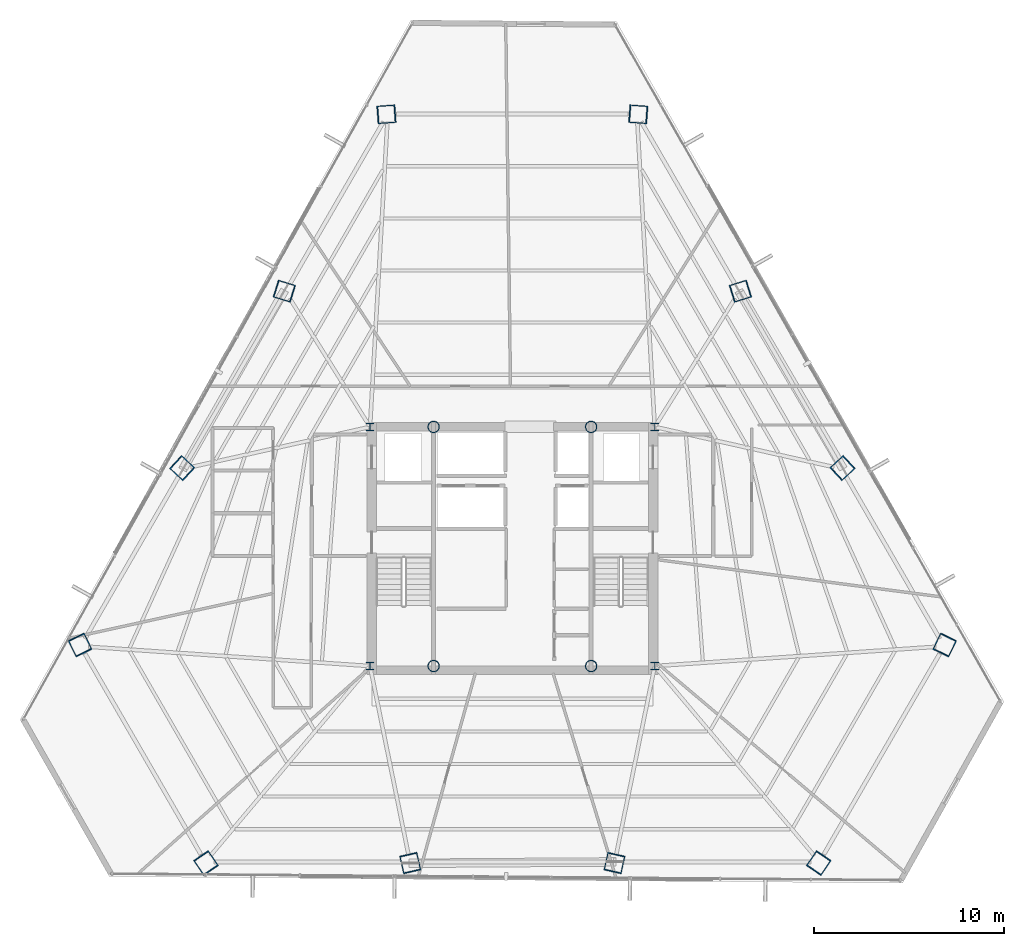
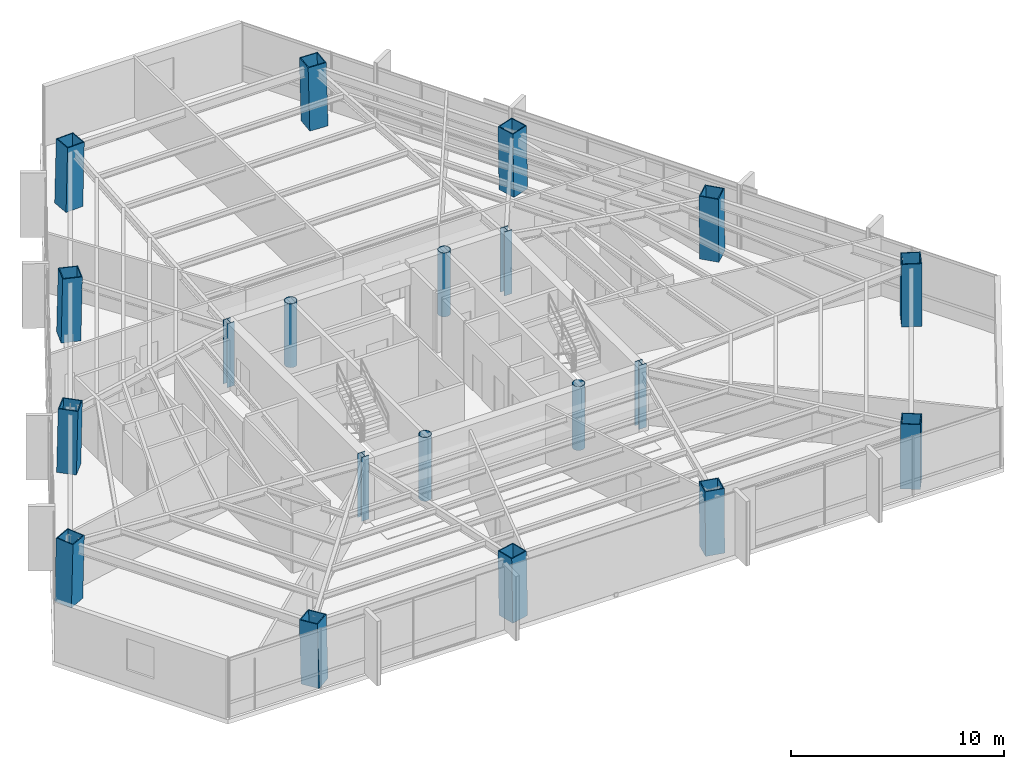
# One storey, part 1 of 39: 20 columns.
"""IFC4 building model written with IfcOpenShell, lengths in metres."""

from ifc_helpers import new_model, si_unit, direction, frame, origin, origin_2d, place, context, subcontext, project, spatial, hollow_rectangle, hollow_circle, i_section, extrude, source, transform, mapped, material, material_profile, profile_set, type_object, type_shapes, element, save


model = new_model("IFC4")

# Units and contexts
model_context = context("Model", 3, precision=1e-05, world=origin(), true_north=direction((0.0, 1.0)))
body_context = subcontext(model_context, "Body", "Model", "MODEL_VIEW")
ifc_project = project(units=[si_unit("LENGTHUNIT", "METRE"), si_unit("AREAUNIT", "SQUARE_METRE"), si_unit("VOLUMEUNIT", "CUBIC_METRE"), si_unit("PLANEANGLEUNIT", "RADIAN"), si_unit("MASSUNIT", "GRAM", prefix="KILO")], contexts=[model_context])

# Site, building, storey
site_placement = place(None, origin())
site = spatial("IfcSite", under=ifc_project, at=site_placement, CompositionType="ELEMENT")
building_placement = place(site_placement, origin())
building = spatial("IfcBuilding", under=site, at=building_placement, Name="Caelisora Broadcast Tower", CompositionType="ELEMENT")
storey_placement = place(building_placement, frame((0.0, 0.0, 139.10009765625)))
storey = spatial("IfcBuildingStorey", under=building, at=storey_placement, Name="L36", CompositionType="ELEMENT", Elevation=139.10009765625)

# Columns
ifc_material_1 = material(Name="Steel Grade 350 (AS/NZS 3679.2)", Category="steel")
ifc_material_profile_1 = material_profile(ifc_material_1, i_section(OverallWidth=0.39990234375, OverallDepth=0.39990234375, WebThickness=0.02001953125, FlangeThickness=0.031982421875, at=origin_2d()), Name="Steel Grade 350 (AS/NZS 3679.2)")
ifc_profile_set_1 = profile_set([ifc_material_profile_1], Name="Steel Grade 350 (AS/NZS 3679.2)")
column_type_1 = type_object("IfcColumnType", Name="CC02", PredefinedType="COLUMN", material=ifc_profile_set_1)
shared_shape_1 = source(origin(), body_context, "Body", "SweptSolid", [
    extrude(i_section(OverallWidth=0.39990234375, OverallDepth=0.39990234375, WebThickness=0.02001953125, FlangeThickness=0.031982421875, at=origin_2d()), origin(), (0.0, 0.0, 1.0), 3.64990234375),
])
type_shapes(column_type_1, [shared_shape_1])
for number, where, z_axis, x_axis, name in (
    (1, (30.5, 17.39990234375, 0.0), (0.0, 0.0, 1.0), (1.0, 0.0, 0.0), "L36 column CC02"),
    (2, (45.5, 17.39990234375, 0.0), (0.0, 0.0, 1.0), (1.0, 0.0, 0.0), "L36 column CC02"),
    (3, (45.5, 30.0, 0.0), (0.0, 0.0, 1.0), (1.0, 0.0, 0.0), "L36 column CC02"),
    (4, (30.5, 30.0, 0.0), (0.0, 0.0, 1.0), (1.0, 0.0, 0.0), "L36 column CC02"),
):
    element("IfcColumn", number, at=place(storey_placement, frame(where, z_axis=z_axis, x_axis=x_axis)), inside=storey, type_object=column_type_1, Name=name, PredefinedType="COLUMN", context=body_context, shape_type="MappedRepresentation", body=[
        mapped(shared_shape_1, transform((0.0, 0.0, 0.0), scale=1.0)),
    ])
ifc_material_2 = material(Name="Steel Grade 350 L15 (AS/NZS 3678)", Category="steel")
ifc_material_profile_2 = material_profile(ifc_material_2, hollow_circle(Radius=0.304931640625, WallThickness=0.02490234375, at=origin_2d()), Name="Steel Grade 350 L15 (AS/NZS 3678)")
ifc_profile_set_2 = profile_set([ifc_material_profile_2], Name="Steel Grade 350 L15 (AS/NZS 3678)")
column_type_2 = type_object("IfcColumnType", Name="CC06", PredefinedType="COLUMN", material=ifc_profile_set_2)
shared_shape_2 = source(origin(), body_context, "Body", "SweptSolid", [
    extrude(hollow_circle(Radius=0.304931640625, WallThickness=0.02490234375, at=origin_2d()), origin(), (0.0, 0.0, 1.0), 3.64990234375),
])
type_shapes(column_type_2, [shared_shape_2])
for number, where, z_axis, x_axis, name in (
    (5, (33.85009765625, 17.39990234375, 0.0), (0.0, 0.0, 1.0), (1.0, 0.0, 0.0), "L36 column CC06"),
    (6, (42.14990234375, 17.39990234375, 0.0), (0.0, 0.0, 1.0), (1.0, 0.0, 0.0), "L36 column CC06"),
    (7, (33.85009765625, 30.0, 0.0), (0.0, 0.0, 1.0), (1.0, 0.0, 0.0), "L36 column CC06"),
    (8, (42.14990234375, 30.0, 0.0), (0.0, 0.0, 1.0), (1.0, 0.0, 0.0), "L36 column CC06"),
):
    element("IfcColumn", number, at=place(storey_placement, frame(where, z_axis=z_axis, x_axis=x_axis)), inside=storey, type_object=column_type_2, Name=name, PredefinedType="COLUMN", context=body_context, shape_type="MappedRepresentation", body=[
        mapped(shared_shape_2, transform((0.0, 0.0, 0.0), scale=1.0)),
    ])
ifc_material_profile_3 = material_profile(ifc_material_2, hollow_rectangle(XDim=0.949951171875, YDim=0.949951171875, WallThickness=0.050048828125, at=origin_2d()), Name="Steel Grade 350 L15 (AS/NZS 3678)")
ifc_profile_set_3 = profile_set([ifc_material_profile_3], Name="Steel Grade 350 L15 (AS/NZS 3678)")
column_type_3 = type_object("IfcColumnType", Name="MC04", PredefinedType="COLUMN", material=ifc_profile_set_3)
shared_shape_3 = source(origin(), body_context, "Body", "SweptSolid", [
    extrude(hollow_rectangle(XDim=0.949951171875, YDim=0.949951171875, WallThickness=0.050048828125, at=origin_2d()), origin(), (0.0, 0.0, 1.0), 3.65087890625),
])
for number, where, z_axis, x_axis, name in (
    (9, (44.64794921875, 46.46826171875, 0.0), (-0.023872756997, 0.001738632162, 0.999713493273), (-0.07263675076, -0.997358462359, 0.0), "L36 column MC04"),
    (10, (31.35205078125, 46.46826171875, 0.0), (0.023872756997, 0.001738632162, 0.999713493273), (-0.07263675076, 0.997358462359, 0.0), "L36 column MC04"),
    (11, (15.218017578125, 18.523193359375, 0.0), (0.010431795422, -0.021532295679, 0.999713727968), (0.899947055326, 0.435999194506, 0.0), "L36 column MC04"),
    (12, (21.865966796875, 7.008544921875, 0.0), (-0.013440967269, 0.019793663242, 0.999713734673), (-0.827290216258, -0.561774775229, 0.0), "L36 column MC04"),
    (13, (54.134033203125, 7.008544921875, 0.0), (0.013440967269, 0.019793663242, 0.999713734673), (-0.827290216258, 0.561774775229, 0.0), "L36 column MC04"),
    (14, (60.781982421875, 18.523193359375, 0.0), (-0.010431795422, -0.021532295679, 0.999713727968), (0.899947055326, -0.435999194506, 0.0), "L36 column MC04"),
):
    element("IfcColumn", number, at=place(storey_placement, frame(where, z_axis=z_axis, x_axis=x_axis)), inside=storey, type_object=column_type_3, Name=name, PredefinedType="COLUMN", context=body_context, shape_type="MappedRepresentation", body=[
        mapped(shared_shape_3, transform((0.0, 0.0, 0.0), scale=1.0)),
    ])
shared_shape_4 = source(origin(), body_context, "Body", "SweptSolid", [
    extrude(hollow_rectangle(XDim=0.949951171875, YDim=0.949951171875, WallThickness=0.050048828125, at=origin_2d()), origin(), (0.0, 0.0, 1.0), 3.650634765625),
])
type_shapes(column_type_3, [shared_shape_3, shared_shape_4])
for number, where, z_axis, x_axis, name in (
    (15, (25.97412109375, 37.1533203125, 0.0), (0.019393993486, -0.006018825565, 0.999793802119), (0.296399214872, 0.955064136811, 0.0), "L36 column MC04"),
    (16, (20.595947265625, 27.838134765625, 0.0), (0.014913313399, -0.013776424037, 0.999793880369), (0.678553674548, 0.734550822447, 0.0), "L36 column MC04"),
    (17, (32.6220703125, 7.008544921875, 0.0), (-0.004480682206, 0.019795252729, 0.999794014513), (-0.975326687046, -0.220766513622, 0.0), "L36 column MC04"),
    (18, (43.3779296875, 7.008544921875, 0.0), (0.004480682206, 0.019795252729, 0.999794014513), (-0.975326687046, 0.220766513622, 0.0), "L36 column MC04"),
    (19, (55.404052734375, 27.838134765625, 0.0), (-0.014913313399, -0.013776424037, 0.999793880369), (0.678553674548, -0.734550822447, 0.0), "L36 column MC04"),
    (20, (50.02587890625, 37.1533203125, 0.0), (-0.019393993486, -0.006018825565, 0.999793802119), (0.296399214872, -0.955064136811, 0.0), "L36 column MC04"),
):
    element("IfcColumn", number, at=place(storey_placement, frame(where, z_axis=z_axis, x_axis=x_axis)), inside=storey, type_object=column_type_3, Name=name, PredefinedType="COLUMN", context=body_context, shape_type="MappedRepresentation", body=[
        mapped(shared_shape_4, transform((0.0, 0.0, 0.0), scale=1.0)),
    ])

save(model, "model.ifc")
